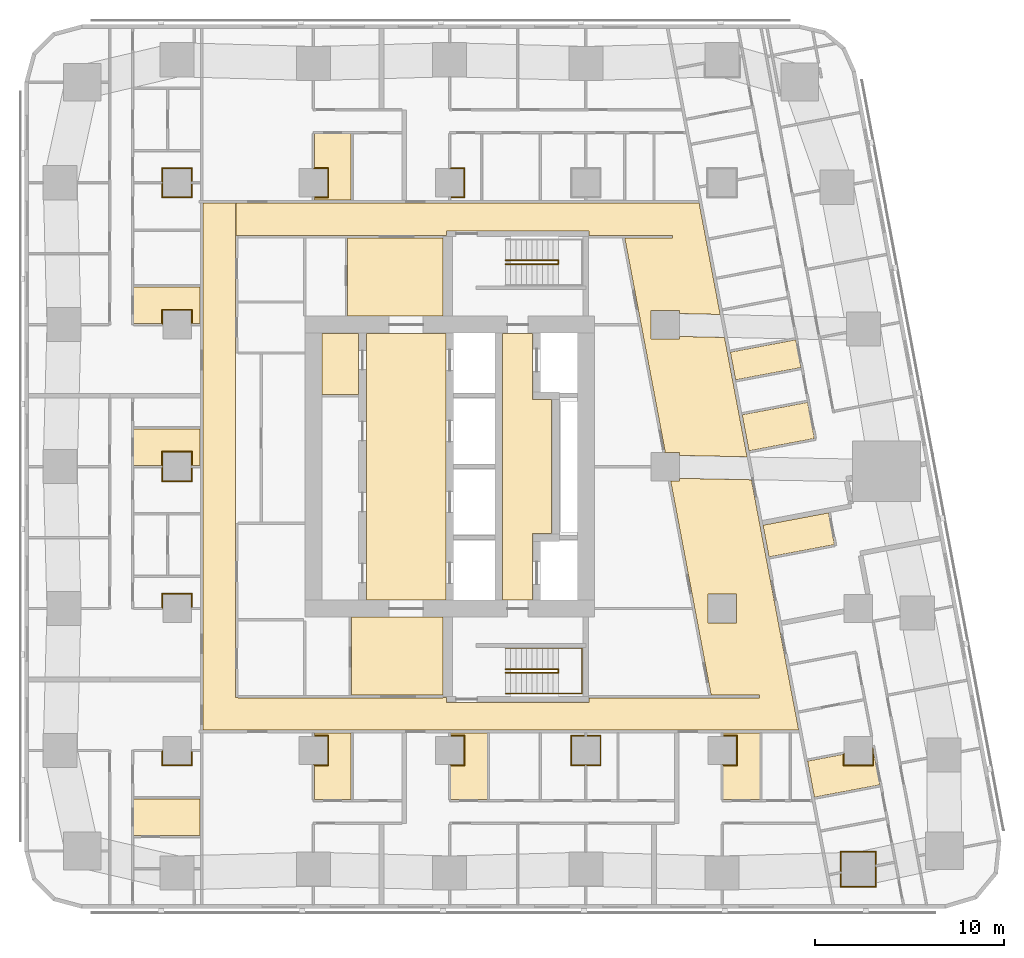
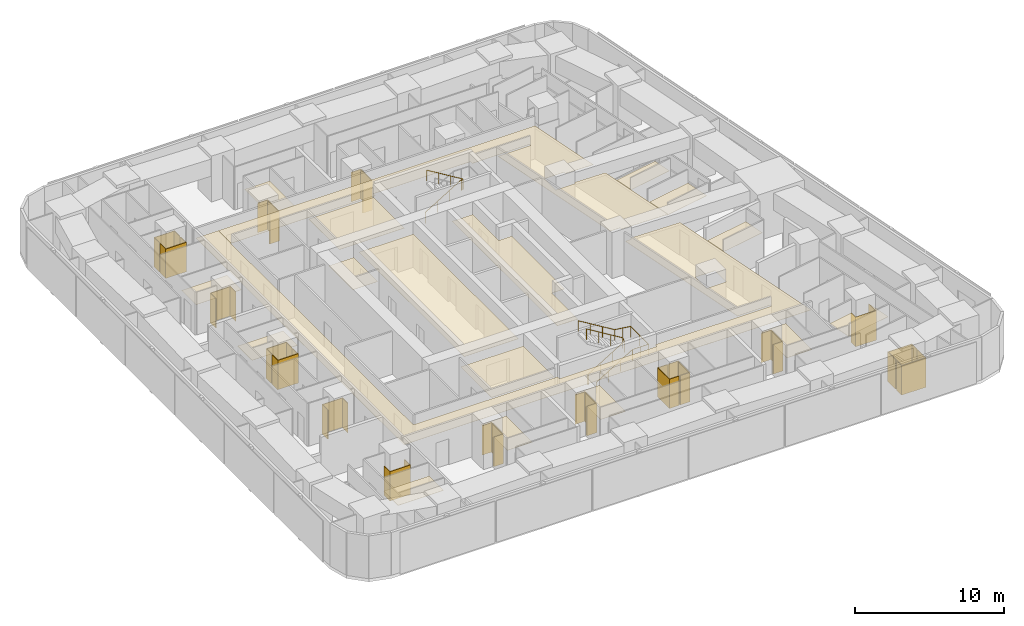
# One storey, part 14 of 15: 35 coverings, 3 railings.
"""IFC4 building model written with IfcOpenShell, lengths in metres."""

from ifc_helpers import new_model, si_unit, direction, frame, origin, origin_2d, place, context, subcontext, project, spatial, polyline, circle, outline, extrude, material, layer, layer_set, type_object, element, save


model = new_model("IFC4")

# Units and contexts
model_context = context("Model", 3, precision=1e-05, world=origin(), true_north=direction((0.0, 1.0)))
body_context = subcontext(model_context, "Body", "Model", "MODEL_VIEW")
ifc_project = project(units=[si_unit("LENGTHUNIT", "METRE"), si_unit("AREAUNIT", "SQUARE_METRE"), si_unit("VOLUMEUNIT", "CUBIC_METRE"), si_unit("PLANEANGLEUNIT", "RADIAN"), si_unit("MASSUNIT", "GRAM", prefix="KILO")], contexts=[model_context])

# Site, building, storey
site_placement = place(None, origin())
site = spatial("IfcSite", under=ifc_project, at=site_placement, CompositionType="ELEMENT")
building_placement = place(site_placement, origin())
building = spatial("IfcBuilding", under=site, at=building_placement, Name="Sheger Commons Tower", CompositionType="ELEMENT")
storey_placement = place(building_placement, frame((0.0, 0.0, 165.800048828125)))
storey = spatial("IfcBuildingStorey", under=building, at=storey_placement, Name="L42", CompositionType="ELEMENT", Elevation=165.800048828125)

# Railings
ifc_material_1 = material(Name="Steel handrail, black powder-coated", Category="steel")
railing_type = type_object("IfcRailingType", Name="HANDRAIL 900", PredefinedType="HANDRAIL", material=ifc_material_1)
railing_1_placement = place(storey_placement, frame((24.550048828125, 11.60009765625, 0.17041015625)))
element("IfcRailing", 1, at=railing_1_placement, inside=storey, type_object=railing_type, Name="Stair S1 handrail L42", PredefinedType="HANDRAIL", context=body_context, shape_type="SweptSolid", body=[
    extrude(circle(Radius=0.02392578125, at=origin_2d()), frame((0.0, 0.0, 0.8759765625), z_axis=(0.854169791009, 0.0, 0.51999420009), x_axis=(0.0, 1.0, 0.0)), (0.0, 0.0, 1.0), 3.278076171875),
    extrude(circle(Radius=0.02392578125, at=origin_2d()), frame((2.800048828125, 0.0, 2.58056640625), z_axis=(0.0, 0.761090297175, 0.648645943136), x_axis=(-1.0, 0.0, 0.0)), (0.0, 0.0, 1.0), 0.2626953125),
    extrude(circle(Radius=0.02392578125, at=origin_2d()), frame((2.800048828125, 0.199951171875, 2.7509765625), z_axis=(-0.854169791009, 0.0, 0.51999420009), x_axis=(0.0, -1.0, 0.0)), (0.0, 0.0, 1.0), 3.278076171875),
    extrude(circle(Radius=0.02099609375, at=origin_2d()), origin(), (0.0, 0.0, 1.0), 0.851806640625),
    extrude(circle(Radius=0.02099609375, at=origin_2d()), frame((0.933349609375, 0.0, 0.568115234375)), (0.0, 0.0, 1.0), 0.851806640625),
    extrude(circle(Radius=0.02099609375, at=origin_2d()), frame((1.86669921875, 0.0, 1.136474609375)), (0.0, 0.0, 1.0), 0.851806640625),
    extrude(circle(Radius=0.02099609375, at=origin_2d()), frame((2.800048828125, 0.0, 1.70458984375)), (0.0, 0.0, 1.0), 0.851806640625),
    extrude(circle(Radius=0.02099609375, at=origin_2d()), frame((2.800048828125, 0.199951171875, 1.875)), (0.0, 0.0, 1.0), 0.851806640625),
    extrude(circle(Radius=0.02099609375, at=origin_2d()), frame((1.86669921875, 0.199951171875, 2.443115234375)), (0.0, 0.0, 1.0), 0.851806640625),
    extrude(circle(Radius=0.02099609375, at=origin_2d()), frame((0.933349609375, 0.199951171875, 3.011474609375)), (0.0, 0.0, 1.0), 0.851806640625),
    extrude(circle(Radius=0.02099609375, at=origin_2d()), frame((0.0, 0.199951171875, 3.57958984375)), (0.0, 0.0, 1.0), 0.851806640625),
])
railing_2_placement = place(storey_placement, frame((24.550048828125, 10.5, 0.17041015625)))
element("IfcRailing", 2, at=railing_2_placement, inside=storey, type_object=railing_type, Name="Stair S1 handrail L42", PredefinedType="HANDRAIL", context=body_context, shape_type="SweptSolid", body=[
    extrude(circle(Radius=0.02392578125, at=origin_2d()), frame((0.0, 0.0, 0.8759765625), z_axis=(0.854169791009, 0.0, 0.51999420009), x_axis=(0.0, 1.0, 0.0)), (0.0, 0.0, 1.0), 3.278076171875),
    extrude(circle(Radius=0.02392578125, at=origin_2d()), frame((2.800048828125, 0.0, 2.58056640625), z_axis=(1.0, 0.0, 0.0), x_axis=(0.0, 1.0, 0.0)), (0.0, 0.0, 1.0), 1.25),
    extrude(circle(Radius=0.02392578125, at=origin_2d()), frame((4.050048828125, 0.0, 2.58056640625), z_axis=(0.0, 1.0, 0.0), x_axis=(-1.0, 0.0, 0.0)), (0.0, 0.0, 1.0), 2.39990234375),
    extrude(circle(Radius=0.02392578125, at=origin_2d()), frame((4.050048828125, 2.39990234375, 2.58056640625), z_axis=(-0.990834877927, 0.0, 0.135078661092), x_axis=(0.0, -1.0, 0.0)), (0.0, 0.0, 1.0), 1.261474609375),
    extrude(circle(Radius=0.02392578125, at=origin_2d()), frame((2.800048828125, 2.39990234375, 2.7509765625), z_axis=(-0.854169791009, 0.0, 0.51999420009), x_axis=(0.0, -1.0, 0.0)), (0.0, 0.0, 1.0), 3.278076171875),
    extrude(circle(Radius=0.02099609375, at=origin_2d()), origin(), (0.0, 0.0, 1.0), 0.851806640625),
    extrude(circle(Radius=0.02099609375, at=origin_2d()), frame((0.933349609375, 0.0, 0.568115234375)), (0.0, 0.0, 1.0), 0.851806640625),
    extrude(circle(Radius=0.02099609375, at=origin_2d()), frame((1.86669921875, 0.0, 1.136474609375)), (0.0, 0.0, 1.0), 0.851806640625),
    extrude(circle(Radius=0.02099609375, at=origin_2d()), frame((2.800048828125, 0.0, 1.70458984375)), (0.0, 0.0, 1.0), 0.851806640625),
    extrude(circle(Radius=0.02099609375, at=origin_2d()), frame((3.425048828125, 0.0, 1.70458984375)), (0.0, 0.0, 1.0), 0.851806640625),
    extrude(circle(Radius=0.02099609375, at=origin_2d()), frame((4.050048828125, 0.0, 1.70458984375)), (0.0, 0.0, 1.0), 0.851806640625),
    extrude(circle(Radius=0.02099609375, at=origin_2d()), frame((4.050048828125, 1.199951171875, 1.70458984375)), (0.0, 0.0, 1.0), 0.851806640625),
    extrude(circle(Radius=0.02099609375, at=origin_2d()), frame((4.050048828125, 2.39990234375, 1.70458984375)), (0.0, 0.0, 1.0), 0.851806640625),
    extrude(circle(Radius=0.02099609375, at=origin_2d()), frame((3.425048828125, 2.39990234375, 1.789794921875)), (0.0, 0.0, 1.0), 0.851806640625),
    extrude(circle(Radius=0.02099609375, at=origin_2d()), frame((2.800048828125, 2.39990234375, 1.875)), (0.0, 0.0, 1.0), 0.851806640625),
    extrude(circle(Radius=0.02099609375, at=origin_2d()), frame((1.86669921875, 2.39990234375, 2.443115234375)), (0.0, 0.0, 1.0), 0.851806640625),
    extrude(circle(Radius=0.02099609375, at=origin_2d()), frame((0.933349609375, 2.39990234375, 3.011474609375)), (0.0, 0.0, 1.0), 0.851806640625),
    extrude(circle(Radius=0.02099609375, at=origin_2d()), frame((0.0, 2.39990234375, 3.57958984375)), (0.0, 0.0, 1.0), 0.851806640625),
])
railing_3_placement = place(storey_placement, frame((24.550048828125, 33.39990234375, 0.17041015625)))
element("IfcRailing", 3, at=railing_3_placement, inside=storey, type_object=railing_type, Name="Stair S2 handrail L42", PredefinedType="HANDRAIL", context=body_context, shape_type="SweptSolid", body=[
    extrude(circle(Radius=0.02392578125, at=origin_2d()), frame((0.0, 0.0, 0.8759765625), z_axis=(0.854169791009, 0.0, 0.51999420009), x_axis=(0.0, 1.0, 0.0)), (0.0, 0.0, 1.0), 3.278076171875),
    extrude(circle(Radius=0.02392578125, at=origin_2d()), frame((2.800048828125, 0.0, 2.58056640625), z_axis=(0.0, -0.761090297175, 0.648645943136), x_axis=(1.0, 0.0, 0.0)), (0.0, 0.0, 1.0), 0.2626953125),
    extrude(circle(Radius=0.02392578125, at=origin_2d()), frame((2.800048828125, -0.199951171875, 2.7509765625), z_axis=(-0.854169791009, 0.0, 0.51999420009), x_axis=(0.0, -1.0, 0.0)), (0.0, 0.0, 1.0), 3.278076171875),
    extrude(circle(Radius=0.02099609375, at=origin_2d()), origin(), (0.0, 0.0, 1.0), 0.851806640625),
    extrude(circle(Radius=0.02099609375, at=origin_2d()), frame((0.933349609375, 0.0, 0.568115234375)), (0.0, 0.0, 1.0), 0.851806640625),
    extrude(circle(Radius=0.02099609375, at=origin_2d()), frame((1.86669921875, 0.0, 1.136474609375)), (0.0, 0.0, 1.0), 0.851806640625),
    extrude(circle(Radius=0.02099609375, at=origin_2d()), frame((2.800048828125, 0.0, 1.70458984375)), (0.0, 0.0, 1.0), 0.851806640625),
    extrude(circle(Radius=0.02099609375, at=origin_2d()), frame((2.800048828125, -0.199951171875, 1.875)), (0.0, 0.0, 1.0), 0.851806640625),
    extrude(circle(Radius=0.02099609375, at=origin_2d()), frame((1.86669921875, -0.199951171875, 2.443115234375)), (0.0, 0.0, 1.0), 0.851806640625),
    extrude(circle(Radius=0.02099609375, at=origin_2d()), frame((0.933349609375, -0.199951171875, 3.011474609375)), (0.0, 0.0, 1.0), 0.851806640625),
    extrude(circle(Radius=0.02099609375, at=origin_2d()), frame((0.0, -0.199951171875, 3.57958984375)), (0.0, 0.0, 1.0), 0.851806640625),
])

# Coverings
ifc_material_2 = material(Name="Moisture-resistant gypsum plasterboard 15 mm on a suspended galvanised steel grid", Category="steel")
ifc_layer_1 = layer(ifc_material_2, 0.014892578125)
ifc_layer_set_1 = layer_set([ifc_layer_1], Name="MOISTURE-RESISTANT CEILING 15")
covering_type_1 = type_object("IfcCoveringType", Name="MOISTURE-RESISTANT CEILING 15", PredefinedType="CEILING", material=ifc_layer_set_1)
covering_1_placement = place(storey_placement, frame((0.0, 0.0, 2.39990234375)))
element("IfcCovering", 4, at=covering_1_placement, inside=storey, type_object=covering_type_1, Name="L42-01.B2 ceiling", PredefinedType="CEILING", context=body_context, shape_type="SweptSolid", body=[
    extrude(outline(polyline([(4.905029296875, 3.00390625), (8.419921875, 3.00390625), (8.419921875, 4.944091796875), (4.905029296875, 4.944091796875), (4.905029296875, 3.00390625)])), origin(), (0.0, 0.0, 1.0), 0.01513671875),
])
covering_2_placement = place(storey_placement, frame((0.0, 0.0, 2.39990234375)))
element("IfcCovering", 5, at=covering_2_placement, inside=storey, type_object=covering_type_1, Name="L42-02.B3 ceiling", PredefinedType="CEILING", context=body_context, shape_type="SweptSolid", body=[
    extrude(outline(polyline([(4.905029296875, 22.554931640625), (6.445068359375, 22.554931640625), (6.445068359375, 23.2548828125), (7.955078125, 23.2548828125), (7.955078125, 22.554931640625), (8.419921875, 22.554931640625), (8.419921875, 24.4951171875), (4.905029296875, 24.4951171875), (4.905029296875, 22.554931640625)])), origin(), (0.0, 0.0, 1.0), 0.01513671875),
])
covering_3_placement = place(storey_placement, frame((0.0, 0.0, 2.39990234375)))
element("IfcCovering", 6, at=covering_3_placement, inside=storey, type_object=covering_type_1, Name="L42-03.B1 ceiling", PredefinedType="CEILING", context=body_context, shape_type="SweptSolid", body=[
    extrude(outline(polyline([(4.905029296875, 30.054931640625), (6.445068359375, 30.054931640625), (6.445068359375, 30.7548828125), (7.955078125, 30.7548828125), (7.955078125, 30.054931640625), (8.419921875, 30.054931640625), (8.419921875, 31.9951171875), (4.905029296875, 31.9951171875), (4.905029296875, 30.054931640625)])), origin(), (0.0, 0.0, 1.0), 0.01513671875),
])
covering_4_placement = place(storey_placement, frame((0.0, 0.0, 2.39990234375)))
element("IfcCovering", 7, at=covering_4_placement, inside=storey, type_object=covering_type_1, Name="L42-04.B1 ceiling", PredefinedType="CEILING", context=body_context, shape_type="SweptSolid", body=[
    extrude(outline(polyline([(14.455078125, 4.905029296875), (16.39501953125, 4.905029296875), (16.39501953125, 8.419921875), (14.455078125, 8.419921875), (14.455078125, 8.2548828125), (15.155029296875, 8.2548828125), (15.155029296875, 6.7451171875), (14.455078125, 6.7451171875), (14.455078125, 4.905029296875)])), origin(), (0.0, 0.0, 1.0), 0.01513671875),
])
covering_5_placement = place(storey_placement, frame((0.0, 0.0, 2.39990234375)))
element("IfcCovering", 8, at=covering_5_placement, inside=storey, type_object=covering_type_1, Name="L42-05.B1 ceiling", PredefinedType="CEILING", context=body_context, shape_type="SweptSolid", body=[
    extrude(outline(polyline([(21.655029296875, 4.905029296875), (23.594970703125, 4.905029296875), (23.594970703125, 8.419921875), (21.655029296875, 8.419921875), (21.655029296875, 8.2548828125), (22.35498046875, 8.2548828125), (22.35498046875, 6.7451171875), (21.655029296875, 6.7451171875), (21.655029296875, 4.905029296875)])), origin(), (0.0, 0.0, 1.0), 0.01513671875),
])
covering_6_placement = place(storey_placement, frame((0.0, 0.0, 2.39990234375)))
element("IfcCovering", 9, at=covering_6_placement, inside=storey, type_object=covering_type_1, Name="L42-06.B1 ceiling", PredefinedType="CEILING", context=body_context, shape_type="SweptSolid", body=[
    extrude(outline(polyline([(36.054931640625, 4.905029296875), (37.9951171875, 4.905029296875), (37.9951171875, 8.419921875), (36.054931640625, 8.419921875), (36.054931640625, 8.2548828125), (36.7548828125, 8.2548828125), (36.7548828125, 6.7451171875), (36.054931640625, 6.7451171875), (36.054931640625, 4.905029296875)])), origin(), (0.0, 0.0, 1.0), 0.01513671875),
])
covering_7_placement = place(storey_placement, frame((0.0, 0.0, 2.39990234375)))
element("IfcCovering", 10, at=covering_7_placement, inside=storey, type_object=covering_type_1, Name="L42-07.B1 ceiling", PredefinedType="CEILING", context=body_context, shape_type="SweptSolid", body=[
    extrude(outline(polyline([(37.423095703125, 23.333984375), (40.876953125, 23.987060546875), (40.51708984375, 25.89306640625), (37.06298828125, 25.240966796875), (37.423095703125, 23.333984375)])), origin(), (0.0, 0.0, 1.0), 0.01513671875),
])
covering_8_placement = place(storey_placement, frame((0.0, 0.0, 2.39990234375)))
element("IfcCovering", 11, at=covering_8_placement, inside=storey, type_object=covering_type_1, Name="L42-07.B2 ceiling", PredefinedType="CEILING", context=body_context, shape_type="SweptSolid", body=[
    extrude(outline(polyline([(36.715087890625, 27.083984375), (40.1689453125, 27.736083984375), (39.89208984375, 29.200927734375), (36.43798828125, 28.548095703125), (36.715087890625, 27.083984375)])), origin(), (0.0, 0.0, 1.0), 0.01513671875),
])
covering_9_placement = place(storey_placement, frame((0.0, 0.0, 2.39990234375)))
element("IfcCovering", 12, at=covering_9_placement, inside=storey, type_object=covering_type_1, Name="L42-08.B1 ceiling", PredefinedType="CEILING", context=body_context, shape_type="SweptSolid", body=[
    extrude(outline(polyline([(38.48193359375, 17.72802734375), (41.93701171875, 18.3798828125), (41.6201171875, 20.054931640625), (38.166015625, 19.403076171875), (38.48193359375, 17.72802734375)])), origin(), (0.0, 0.0, 1.0), 0.01513671875),
])
covering_10_placement = place(storey_placement, frame((0.0, 0.0, 2.39990234375)))
element("IfcCovering", 13, at=covering_10_placement, inside=storey, type_object=covering_type_1, Name="L42-09.B2 ceiling", PredefinedType="CEILING", context=body_context, shape_type="SweptSolid", body=[
    extrude(outline(polyline([(40.8798828125, 5.031982421875), (44.3349609375, 5.68408203125), (43.964111328125, 7.64501953125), (43.955078125, 7.64306640625), (43.955078125, 6.7451171875), (42.445068359375, 6.7451171875), (42.445068359375, 7.302001953125), (40.52001953125, 6.93798828125), (40.8798828125, 5.031982421875)])), origin(), (0.0, 0.0, 1.0), 0.01513671875),
])
covering_11_placement = place(storey_placement, frame((0.0, 0.0, 2.39990234375)))
element("IfcCovering", 14, at=covering_11_placement, inside=storey, type_object=covering_type_1, Name="L42-10.B1 ceiling", PredefinedType="CEILING", context=body_context, shape_type="SweptSolid", body=[
    extrude(outline(polyline([(14.455078125, 36.580078125), (16.39501953125, 36.580078125), (16.39501953125, 40.094970703125), (14.455078125, 40.094970703125), (14.455078125, 38.2548828125), (15.155029296875, 38.2548828125), (15.155029296875, 36.7451171875), (14.455078125, 36.7451171875), (14.455078125, 36.580078125)])), origin(), (0.0, 0.0, 1.0), 0.01513671875),
])
covering_12_placement = place(storey_placement, frame((0.0, 0.0, 2.39990234375)))
element("IfcCovering", 15, at=covering_12_placement, inside=storey, type_object=covering_type_1, Name="L42-CRB2 ceiling", PredefinedType="CEILING", context=body_context, shape_type="SweptSolid", body=[
    extrude(outline(polyline([(14.85498046875, 26.31689453125), (16.794921875, 26.31689453125), (16.794921875, 29.544921875), (14.85498046875, 29.544921875), (14.85498046875, 26.31689453125)])), origin(), (0.0, 0.0, 1.0), 0.01513671875),
])
ifc_material_3 = material(Name="Gypsum plasterboard 15 mm on a suspended steel grid", Category="steel")
ifc_layer_2 = layer(ifc_material_3, 0.014892578125)
ifc_layer_set_2 = layer_set([ifc_layer_2], Name="SUSPENDED CEILING 15")
covering_type_2 = type_object("IfcCoveringType", Name="SUSPENDED CEILING 15", PredefinedType="CEILING", material=ifc_layer_set_2)
covering_13_placement = place(storey_placement, frame((0.0, 0.0, 2.699951171875)))
element("IfcCovering", 16, at=covering_13_placement, inside=storey, type_object=covering_type_2, Name="L42-CO ceiling", PredefinedType="CEILING", context=body_context, shape_type="SweptSolid", body=[
    extrude(outline(polyline([(8.580078125, 8.580078125), (40.047119140625, 8.580078125), (37.549072265625, 21.802978515625), (33.7548828125, 21.8798828125), (33.7548828125, 21.7451171875), (33.283935546875, 21.7451171875), (35.4208984375, 10.431884765625), (35.384033203125, 10.425048828125), (35.385986328125, 10.41796875), (37.968017578125, 10.41796875), (37.968017578125, 10.281982421875), (28.955078125, 10.281982421875), (28.955078125, 10.044921875), (21.445068359375, 10.044921875), (21.445068359375, 10.300048828125), (21.2548828125, 10.300048828125), (21.2548828125, 10.281982421875), (10.407958984375, 10.281982421875), (10.407958984375, 10.294921875), (10.281982421875, 10.294921875), (10.281982421875, 19.5048828125), (10.300048828125, 19.5048828125), (10.300048828125, 28.4951171875), (10.281982421875, 28.4951171875), (10.281982421875, 34.705078125), (10.298095703125, 34.705078125), (10.298095703125, 36.419921875), (8.580078125, 36.419921875), (8.580078125, 8.580078125)]), holes=[polyline([(35.2451171875, 15.7548828125), (36.7548828125, 15.7548828125), (36.7548828125, 14.2451171875), (35.2451171875, 14.2451171875), (35.2451171875, 15.7548828125)])]), origin(), (0.0, 0.0, 1.0), 0.014892578125),
])
covering_14_placement = place(storey_placement, frame((0.0, 0.0, 2.699951171875)))
element("IfcCovering", 17, at=covering_14_placement, inside=storey, type_object=covering_type_2, Name="L42-CO ceiling", PredefinedType="CEILING", context=body_context, shape_type="SweptSolid", body=[
    extrude(outline(polyline([(37.320068359375, 23.01806640625), (36.12890625, 29.323974609375), (33.7548828125, 29.3779296875), (33.7548828125, 29.2451171875), (32.2451171875, 29.2451171875), (32.2451171875, 30.7548828125), (33.7548828125, 30.7548828125), (33.7548828125, 30.587890625), (35.89892578125, 30.5400390625), (34.77294921875, 36.5), (34.77001953125, 36.5), (34.77001953125, 36.419921875), (33.365966796875, 36.419921875), (33.361083984375, 34.719970703125), (33.361083984375, 36.419921875), (10.302978515625, 36.419921875), (10.302978515625, 34.705078125), (10.407958984375, 34.705078125), (10.407958984375, 34.718017578125), (21.2548828125, 34.718017578125), (21.2548828125, 34.699951171875), (21.445068359375, 34.699951171875), (21.445068359375, 34.955078125), (28.955078125, 34.955078125), (28.955078125, 34.718017578125), (33.361083984375, 34.718017578125), (33.3779296875, 34.718017578125), (33.3779296875, 34.58203125), (30.85888671875, 34.58203125), (32.99609375, 23.27099609375), (32.958984375, 23.263916015625), (32.9609375, 23.2548828125), (33.7548828125, 23.2548828125), (33.7548828125, 23.090087890625), (37.320068359375, 23.01806640625)])), origin(), (0.0, 0.0, 1.0), 0.014892578125),
])
covering_15_placement = place(storey_placement, frame((0.0, 0.0, 2.699951171875)))
element("IfcCovering", 18, at=covering_15_placement, inside=storey, type_object=covering_type_2, Name="L42-SVS1 ceiling", PredefinedType="CEILING", context=body_context, shape_type="SweptSolid", body=[
    extrude(outline(polyline([(16.406982421875, 10.41796875), (21.2451171875, 10.41796875), (21.2451171875, 14.544921875), (16.406982421875, 14.544921875), (16.406982421875, 10.41796875)])), origin(), (0.0, 0.0, 1.0), 0.014892578125),
])
covering_16_placement = place(storey_placement, frame((0.0, 0.0, 2.699951171875)))
element("IfcCovering", 19, at=covering_16_placement, inside=storey, type_object=covering_type_2, Name="L42-SVN1 ceiling", PredefinedType="CEILING", context=body_context, shape_type="SweptSolid", body=[
    extrude(outline(polyline([(16.217041015625, 30.455078125), (21.2451171875, 30.455078125), (21.2451171875, 34.58203125), (16.217041015625, 34.58203125), (16.217041015625, 30.455078125)])), origin(), (0.0, 0.0, 1.0), 0.014892578125),
])
covering_17_placement = place(storey_placement, frame((0.0, 0.0, 2.699951171875)))
element("IfcCovering", 20, at=covering_17_placement, inside=storey, type_object=covering_type_2, Name="L42-LL ceiling", PredefinedType="CEILING", context=body_context, shape_type="SweptSolid", body=[
    extrude(outline(polyline([(17.205078125, 15.455078125), (21.39990234375, 15.455078125), (21.39990234375, 29.544921875), (17.205078125, 29.544921875), (17.205078125, 15.455078125)])), origin(), (0.0, 0.0, 1.0), 0.014892578125),
])
covering_18_placement = place(storey_placement, frame((0.0, 0.0, 2.699951171875)))
element("IfcCovering", 21, at=covering_18_placement, inside=storey, type_object=covering_type_2, Name="L42-FL ceiling", PredefinedType="CEILING", context=body_context, shape_type="SweptSolid", body=[
    extrude(outline(polyline([(24.405029296875, 15.455078125), (25.9951171875, 15.455078125), (25.9951171875, 18.955078125), (26.9951171875, 18.955078125), (26.9951171875, 26.044921875), (25.9951171875, 26.044921875), (25.9951171875, 29.544921875), (24.405029296875, 29.544921875), (24.405029296875, 15.455078125)])), origin(), (0.0, 0.0, 1.0), 0.014892578125),
])
ifc_material_4 = material(Name="Moisture-resistant gypsum board 12.5 mm on 25 mm treated timber battens, tanked and tiled", Category="wood")
ifc_layer_3 = layer(ifc_material_4, 0.050048828125)
ifc_layer_set_3 = layer_set([ifc_layer_3], Name="WET-ROOM COLUMN LINING")
covering_type_3 = type_object("IfcCoveringType", Name="WET-ROOM COLUMN LINING", PredefinedType="CLADDING", material=ifc_layer_set_3)
covering_19_placement = place(storey_placement, origin())
element("IfcCovering", 22, at=covering_19_placement, inside=storey, type_object=covering_type_3, Name="Laundry room column lining C8 L42", PredefinedType="CLADDING", context=body_context, shape_type="SweptSolid", body=[
    extrude(outline(polyline([(44.14990234375, 2.175048828125), (44.14990234375, 1.455078125), (44.10107421875, 1.446044921875), (44.110107421875, 1.39697265625), (44.10009765625, 1.39501953125), (44.10009765625, 2.125), (42.300048828125, 2.125), (42.300048828125, 1.055908203125), (42.2900390625, 1.053955078125), (42.281005859375, 1.10205078125), (42.25, 1.095947265625), (42.25, 2.175048828125), (44.14990234375, 2.175048828125)])), origin(), (0.0, 0.0, 1.0), 2.39990234375),
])
covering_20_placement = place(storey_placement, origin())
element("IfcCovering", 23, at=covering_20_placement, inside=storey, type_object=covering_type_3, Name="Store and laundry column lining C8 L42", PredefinedType="CLADDING", context=body_context, shape_type="SweptSolid", body=[
    extrude(outline(polyline([(42.300048828125, 1.055908203125), (42.300048828125, 0.324951171875), (44.10009765625, 0.324951171875), (44.10009765625, 1.39501953125), (44.110107421875, 1.39697265625), (44.118896484375, 1.347900390625), (44.14990234375, 1.35400390625), (44.14990234375, 0.27490234375), (42.25, 0.27490234375), (42.25, 0.9951171875), (42.299072265625, 1.00390625), (42.2900390625, 1.053955078125), (42.300048828125, 1.055908203125)])), origin(), (0.0, 0.0, 1.0), 2.39990234375),
])
covering_21_placement = place(storey_placement, origin())
element("IfcCovering", 24, at=covering_21_placement, inside=storey, type_object=covering_type_3, Name="Store and laundry column lining C10 L42", PredefinedType="CLADDING", context=body_context, shape_type="SweptSolid", body=[
    extrude(outline(polyline([(6.449951171875, 7.5), (6.449951171875, 6.75), (7.949951171875, 6.75), (7.949951171875, 7.5), (7.950927734375, 7.5), (7.950927734375, 7.449951171875), (8.0, 7.449951171875), (8.0, 6.699951171875), (6.39990234375, 6.699951171875), (6.39990234375, 7.449951171875), (6.448974609375, 7.449951171875), (6.448974609375, 7.5), (6.449951171875, 7.5)])), origin(), (0.0, 0.0, 1.0), 2.39990234375),
])
covering_22_placement = place(storey_placement, origin())
element("IfcCovering", 25, at=covering_22_placement, inside=storey, type_object=covering_type_3, Name="Bathroom column lining C10 L42", PredefinedType="CLADDING", context=body_context, shape_type="SweptSolid", body=[
    extrude(outline(polyline([(15.199951171875, 6.699951171875), (14.449951171875, 6.699951171875), (14.449951171875, 6.7490234375), (14.39990234375, 6.7490234375), (14.39990234375, 6.75), (15.14990234375, 6.75), (15.14990234375, 8.25), (14.39990234375, 8.25), (14.39990234375, 8.2509765625), (14.449951171875, 8.2509765625), (14.449951171875, 8.300048828125), (15.199951171875, 8.300048828125), (15.199951171875, 6.699951171875)])), origin(), (0.0, 0.0, 1.0), 2.39990234375),
])
covering_23_placement = place(storey_placement, origin())
element("IfcCovering", 26, at=covering_23_placement, inside=storey, type_object=covering_type_3, Name="Bathroom column lining C10 L42", PredefinedType="CLADDING", context=body_context, shape_type="SweptSolid", body=[
    extrude(outline(polyline([(22.39990234375, 6.699951171875), (21.64990234375, 6.699951171875), (21.64990234375, 6.7490234375), (21.60009765625, 6.7490234375), (21.60009765625, 6.75), (22.35009765625, 6.75), (22.35009765625, 8.25), (21.60009765625, 8.25), (21.60009765625, 8.2509765625), (21.64990234375, 8.2509765625), (21.64990234375, 8.300048828125), (22.39990234375, 8.300048828125), (22.39990234375, 6.699951171875)])), origin(), (0.0, 0.0, 1.0), 2.39990234375),
])
covering_24_placement = place(storey_placement, origin())
element("IfcCovering", 27, at=covering_24_placement, inside=storey, type_object=covering_type_3, Name="Laundry room column lining C10 L42", PredefinedType="CLADDING", context=body_context, shape_type="SweptSolid", body=[
    extrude(outline(polyline([(28.75, 8.300048828125), (28.75, 8.2509765625), (28.800048828125, 8.2509765625), (28.800048828125, 8.25), (28.050048828125, 8.25), (28.050048828125, 6.75), (28.800048828125, 6.75), (28.800048828125, 6.7490234375), (28.75, 6.7490234375), (28.75, 6.699951171875), (28.0, 6.699951171875), (28.0, 8.300048828125), (28.75, 8.300048828125)])), origin(), (0.0, 0.0, 1.0), 2.39990234375),
])
covering_25_placement = place(storey_placement, origin())
element("IfcCovering", 28, at=covering_25_placement, inside=storey, type_object=covering_type_3, Name="Laundry room column lining C10 L42", PredefinedType="CLADDING", context=body_context, shape_type="SweptSolid", body=[
    extrude(outline(polyline([(29.60009765625, 6.699951171875), (28.85009765625, 6.699951171875), (28.85009765625, 6.7490234375), (28.800048828125, 6.7490234375), (28.800048828125, 6.75), (29.550048828125, 6.75), (29.550048828125, 8.25), (28.800048828125, 8.25), (28.800048828125, 8.2509765625), (28.85009765625, 8.2509765625), (28.85009765625, 8.300048828125), (29.60009765625, 8.300048828125), (29.60009765625, 6.699951171875)])), origin(), (0.0, 0.0, 1.0), 2.39990234375),
])
covering_26_placement = place(storey_placement, origin())
element("IfcCovering", 29, at=covering_26_placement, inside=storey, type_object=covering_type_3, Name="Bathroom column lining C10 L42", PredefinedType="CLADDING", context=body_context, shape_type="SweptSolid", body=[
    extrude(outline(polyline([(36.800048828125, 6.699951171875), (36.050048828125, 6.699951171875), (36.050048828125, 6.7490234375), (36.0, 6.7490234375), (36.0, 6.75), (36.75, 6.75), (36.75, 8.25), (36.0, 8.25), (36.0, 8.2509765625), (36.050048828125, 8.2509765625), (36.050048828125, 8.300048828125), (36.800048828125, 8.300048828125), (36.800048828125, 6.699951171875)])), origin(), (0.0, 0.0, 1.0), 2.39990234375),
])
covering_27_placement = place(storey_placement, origin())
element("IfcCovering", 30, at=covering_27_placement, inside=storey, type_object=covering_type_3, Name="Bathroom column lining C10 L42", PredefinedType="CLADDING", context=body_context, shape_type="SweptSolid", body=[
    extrude(outline(polyline([(42.449951171875, 7.35888671875), (42.449951171875, 6.75), (43.949951171875, 6.75), (43.949951171875, 7.64208984375), (43.968994140625, 7.64599609375), (44.0, 7.48095703125), (44.0, 6.699951171875), (42.39990234375, 6.699951171875), (42.39990234375, 7.299072265625), (42.448974609375, 7.30810546875), (42.43994140625, 7.35693359375), (42.449951171875, 7.35888671875)])), origin(), (0.0, 0.0, 1.0), 2.39990234375),
])
covering_28_placement = place(storey_placement, origin())
element("IfcCovering", 31, at=covering_28_placement, inside=storey, type_object=covering_type_3, Name="Laundry room column lining C10 L42", PredefinedType="CLADDING", context=body_context, shape_type="SweptSolid", body=[
    extrude(outline(polyline([(8.0, 15.800048828125), (8.0, 15.050048828125), (7.950927734375, 15.050048828125), (7.950927734375, 15.0), (7.949951171875, 15.0), (7.949951171875, 15.75), (6.449951171875, 15.75), (6.449951171875, 15.0), (6.448974609375, 15.0), (6.448974609375, 15.050048828125), (6.39990234375, 15.050048828125), (6.39990234375, 15.800048828125), (8.0, 15.800048828125)])), origin(), (0.0, 0.0, 1.0), 2.39990234375),
])
covering_29_placement = place(storey_placement, origin())
element("IfcCovering", 32, at=covering_29_placement, inside=storey, type_object=covering_type_3, Name="Store and laundry column lining C10 L42", PredefinedType="CLADDING", context=body_context, shape_type="SweptSolid", body=[
    extrude(outline(polyline([(6.449951171875, 22.5), (6.449951171875, 21.75), (7.949951171875, 21.75), (7.949951171875, 22.5), (7.950927734375, 22.5), (7.950927734375, 22.449951171875), (8.0, 22.449951171875), (8.0, 21.699951171875), (6.39990234375, 21.699951171875), (6.39990234375, 22.449951171875), (6.448974609375, 22.449951171875), (6.448974609375, 22.5), (6.449951171875, 22.5)])), origin(), (0.0, 0.0, 1.0), 2.39990234375),
])
covering_30_placement = place(storey_placement, origin())
element("IfcCovering", 33, at=covering_30_placement, inside=storey, type_object=covering_type_3, Name="Bathroom column lining C10 L42", PredefinedType="CLADDING", context=body_context, shape_type="SweptSolid", body=[
    extrude(outline(polyline([(8.0, 23.300048828125), (8.0, 22.550048828125), (7.950927734375, 22.550048828125), (7.950927734375, 22.5), (7.949951171875, 22.5), (7.949951171875, 23.25), (6.449951171875, 23.25), (6.449951171875, 22.5), (6.448974609375, 22.5), (6.448974609375, 22.550048828125), (6.39990234375, 22.550048828125), (6.39990234375, 23.300048828125), (8.0, 23.300048828125)])), origin(), (0.0, 0.0, 1.0), 2.39990234375),
])
covering_31_placement = place(storey_placement, origin())
element("IfcCovering", 34, at=covering_31_placement, inside=storey, type_object=covering_type_3, Name="Bathroom column lining C10 L42", PredefinedType="CLADDING", context=body_context, shape_type="SweptSolid", body=[
    extrude(outline(polyline([(8.0, 30.800048828125), (8.0, 30.050048828125), (7.950927734375, 30.050048828125), (7.950927734375, 30.0), (7.949951171875, 30.0), (7.949951171875, 30.75), (6.449951171875, 30.75), (6.449951171875, 30.0), (6.448974609375, 30.0), (6.448974609375, 30.050048828125), (6.39990234375, 30.050048828125), (6.39990234375, 30.800048828125), (8.0, 30.800048828125)])), origin(), (0.0, 0.0, 1.0), 2.39990234375),
])
covering_32_placement = place(storey_placement, origin())
element("IfcCovering", 35, at=covering_32_placement, inside=storey, type_object=covering_type_3, Name="Store and laundry column lining C10 L42", PredefinedType="CLADDING", context=body_context, shape_type="SweptSolid", body=[
    extrude(outline(polyline([(6.449951171875, 37.5), (6.449951171875, 36.75), (7.949951171875, 36.75), (7.949951171875, 37.5), (7.950927734375, 37.5), (7.950927734375, 37.449951171875), (8.0, 37.449951171875), (8.0, 36.699951171875), (6.39990234375, 36.699951171875), (6.39990234375, 37.449951171875), (6.448974609375, 37.449951171875), (6.448974609375, 37.5), (6.449951171875, 37.5)])), origin(), (0.0, 0.0, 1.0), 2.39990234375),
])
covering_33_placement = place(storey_placement, origin())
element("IfcCovering", 36, at=covering_33_placement, inside=storey, type_object=covering_type_3, Name="Laundry room column lining C10 L42", PredefinedType="CLADDING", context=body_context, shape_type="SweptSolid", body=[
    extrude(outline(polyline([(8.0, 38.300048828125), (8.0, 37.550048828125), (7.950927734375, 37.550048828125), (7.950927734375, 37.5), (7.949951171875, 37.5), (7.949951171875, 38.25), (6.449951171875, 38.25), (6.449951171875, 37.5), (6.448974609375, 37.5), (6.448974609375, 37.550048828125), (6.39990234375, 37.550048828125), (6.39990234375, 38.300048828125), (8.0, 38.300048828125)])), origin(), (0.0, 0.0, 1.0), 2.39990234375),
])
covering_34_placement = place(storey_placement, origin())
element("IfcCovering", 37, at=covering_34_placement, inside=storey, type_object=covering_type_3, Name="Bathroom column lining C10 L42", PredefinedType="CLADDING", context=body_context, shape_type="SweptSolid", body=[
    extrude(outline(polyline([(15.199951171875, 36.699951171875), (14.449951171875, 36.699951171875), (14.449951171875, 36.7490234375), (14.39990234375, 36.7490234375), (14.39990234375, 36.75), (15.14990234375, 36.75), (15.14990234375, 38.25), (14.39990234375, 38.25), (14.39990234375, 38.2509765625), (14.449951171875, 38.2509765625), (14.449951171875, 38.300048828125), (15.199951171875, 38.300048828125), (15.199951171875, 36.699951171875)])), origin(), (0.0, 0.0, 1.0), 2.39990234375),
])
covering_35_placement = place(storey_placement, origin())
element("IfcCovering", 38, at=covering_35_placement, inside=storey, type_object=covering_type_3, Name="Laundry room column lining C10 L42", PredefinedType="CLADDING", context=body_context, shape_type="SweptSolid", body=[
    extrude(outline(polyline([(22.39990234375, 36.699951171875), (21.64990234375, 36.699951171875), (21.64990234375, 36.7490234375), (21.60009765625, 36.7490234375), (21.60009765625, 36.75), (22.35009765625, 36.75), (22.35009765625, 38.25), (21.60009765625, 38.25), (21.60009765625, 38.2509765625), (21.64990234375, 38.2509765625), (21.64990234375, 38.300048828125), (22.39990234375, 38.300048828125), (22.39990234375, 36.699951171875)])), origin(), (0.0, 0.0, 1.0), 2.39990234375),
])

save(model, "model.ifc")
